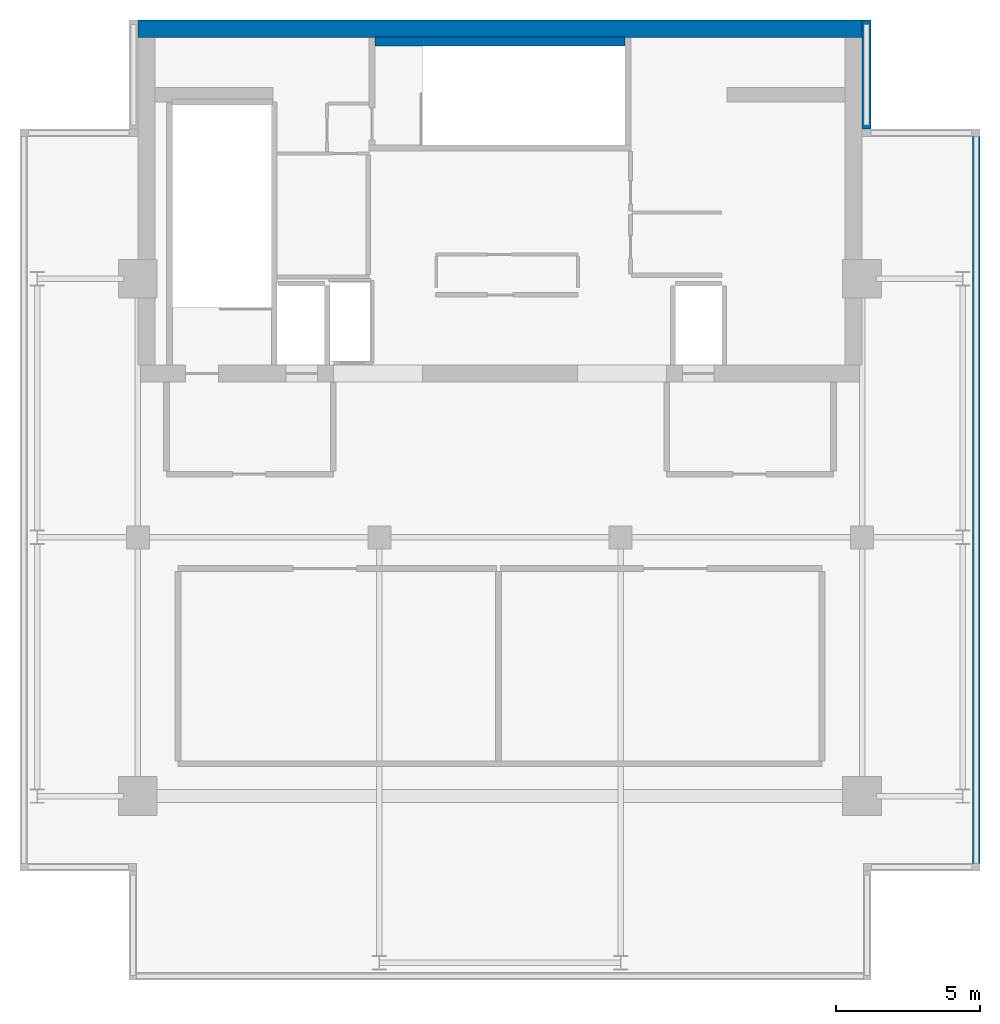
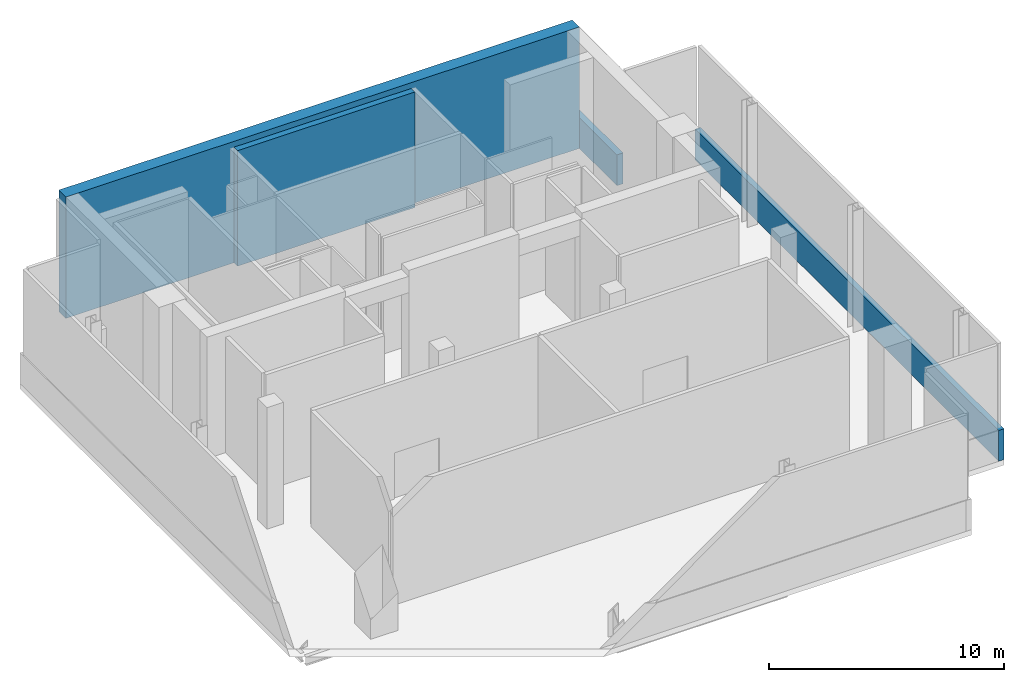
# One storey, part 3 of 4: 4 walls.
"""IFC4 building model written with IfcOpenShell, lengths in metres."""

import ifcopenshell
import ifcopenshell.guid

model = None  # the IFC model being written
_history = None  # IfcOwnerHistory: only IFC2X3 demands one
_inside = {}  # id of a spatial element -> (the spatial element, [elements in it])
_under = {}  # id of a project, library or spatial element -> (it, [spatial elements below it])
_declared = {}  # id of a project -> (the project, [libraries it declares])
_typed = {}  # id of a type object -> (the type object, [elements of that type])
_made_of = {}  # id of a material, layer set ... -> (it, [elements and type objects made of it])


def new_model(schema):
    """Start an empty IFC model of exactly this schema.

    Asked for "IFC4X3", IfcOpenShell would pick the latest addendum, in which some entities
    have other attributes; the version numbers below select the first issue.
    IFC2X3 requires an IfcOwnerHistory on every rooted entity: one is made here for all.
    """
    global model, _history
    if schema == "IFC4X3":
        model = ifcopenshell.file(schema_version=(4, 3, 0, 0))
    else:
        model = ifcopenshell.file(schema=schema)
    _inside.clear()
    _under.clear()
    _declared.clear()
    _typed.clear()
    _made_of.clear()
    _history = None
    if model.schema == "IFC2X3":
        org = make("IfcOrganization", Name="unknown")
        user = make(
            "IfcPersonAndOrganization",
            ThePerson=make("IfcPerson", FamilyName="unknown"),
            TheOrganization=org,
        )
        app = make(
            "IfcApplication",
            ApplicationDeveloper=org,
            Version="unknown",
            ApplicationFullName="unknown",
            ApplicationIdentifier="unknown",
        )
        _history = make(
            "IfcOwnerHistory",
            OwningUser=user,
            OwningApplication=app,
            ChangeAction="ADDED",
            CreationDate=0,
        )
    return model


def make(cls, **values):
    """One entity of the class cls with the attributes given. An attribute that is None is left unset."""
    return model.create_entity(
        cls, **{name: value for name, value in values.items() if value is not None}
    )


def rooted(cls, **values):
    """An entity with a GlobalId (a new one), such as an element, a storey or a relation."""
    return make(cls, GlobalId=ifcopenshell.guid.new(), OwnerHistory=_history, **values)


def si_unit(unit_type, name, prefix=None):
    """IfcSIUnit, for example si_unit("LENGTHUNIT", "METRE", prefix="MILLI")."""
    return make("IfcSIUnit", UnitType=unit_type, Prefix=prefix, Name=name)


def assignment(units):
    """IfcUnitAssignment: the units of a project."""
    return None if units is None else make("IfcUnitAssignment", Units=units)


def point(xyz):
    """IfcCartesianPoint."""
    return None if xyz is None else make("IfcCartesianPoint", Coordinates=xyz)


def direction(xyz):
    """IfcDirection."""
    return None if xyz is None else make("IfcDirection", DirectionRatios=xyz)


def frame(location, z_axis=None, x_axis=None):
    """IfcAxis2Placement3D, a coordinate frame: its origin and axes. An axis left out is left unset."""
    return make(
        "IfcAxis2Placement3D",
        Location=point(location),
        Axis=direction(z_axis),
        RefDirection=direction(x_axis),
    )


def frame_2d(location, x_axis=None):
    """IfcAxis2Placement2D, a coordinate frame in the plane: its origin and x axis."""
    return make(
        "IfcAxis2Placement2D", Location=point(location), RefDirection=direction(x_axis)
    )


def origin():
    """The frame at (0, 0, 0) with its axes left unset."""
    return frame((0.0, 0.0, 0.0))


def place(relative_to, where):
    """IfcLocalPlacement: puts the frame where relative to a parent placement (None: the world)."""
    return make(
        "IfcLocalPlacement", PlacementRelTo=relative_to, RelativePlacement=where
    )


def context(
    kind, dimensions, precision=None, world=None, true_north=None, identifier=None
):
    """IfcGeometricRepresentationContext, for example the 3D "Model" context."""
    return make(
        "IfcGeometricRepresentationContext",
        ContextIdentifier=identifier,
        ContextType=kind,
        CoordinateSpaceDimension=dimensions,
        Precision=precision,
        WorldCoordinateSystem=world,
        TrueNorth=true_north,
    )


def subcontext(parent, identifier, kind, view, scale=None):
    """IfcGeometricRepresentationSubContext, for example "Body" below "Model"."""
    return make(
        "IfcGeometricRepresentationSubContext",
        ContextIdentifier=identifier,
        ContextType=kind,
        ParentContext=parent,
        TargetScale=scale,
        TargetView=view,
    )


def project(units=None, contexts=None):
    """IfcProject with its units and contexts."""
    return rooted(
        "IfcProject",
        Name="project",
        RepresentationContexts=contexts,
        UnitsInContext=assignment(units),
    )


def spatial(cls, under=None, at=None, **own):
    """A site, building, storey or space (cls), placed at a placement, below another one or the project."""
    s = rooted(cls, ObjectPlacement=at, **own)
    if under is not None:
        _under.setdefault(under.id(), (under, []))[1].append(s)
    return s


def profile(cls, at=None, kind="AREA", **sizes):
    """A parametric profile (cls). Its sizes go by their IFC names, for example OverallWidth=200.0."""
    return make(cls, ProfileType=kind, Position=at, **sizes)


def rectangle(**sizes):
    """IfcRectangleProfileDef."""
    return profile("IfcRectangleProfileDef", **sizes)


def extrude(swept, where, along, depth):
    """IfcExtrudedAreaSolid: the profile swept, set in the frame where, extruded along a direction by depth."""
    return make(
        "IfcExtrudedAreaSolid",
        SweptArea=swept,
        Position=where,
        ExtrudedDirection=direction(along),
        Depth=depth,
    )


def shape(context_of_items, identifier, shape_type, items):
    """IfcShapeRepresentation: the items that make up one representation, for example the "Body"."""
    return make(
        "IfcShapeRepresentation",
        ContextOfItems=context_of_items,
        RepresentationIdentifier=identifier,
        RepresentationType=shape_type,
        Items=items,
    )


def material(Name=None, Category=None):
    """IfcMaterial."""
    return make("IfcMaterial", Name=Name, Category=Category)


def layer(
    of_material, thickness, ventilated=None, Name=None, Category=None, Priority=None
):
    """IfcMaterialLayer: one layer of a wall or slab, of a material (None: an air gap)."""
    return make(
        "IfcMaterialLayer",
        Material=of_material,
        LayerThickness=thickness,
        IsVentilated=ventilated,
        Name=Name,
        Category=Category,
        Priority=Priority,
    )


def layer_set(layers, Name=None):
    """IfcMaterialLayerSet."""
    return make("IfcMaterialLayerSet", MaterialLayers=layers, LayerSetName=Name)


def made_of(thing, what):
    """Note that an element or type object is made of a material, layer set ...; save() writes the relation."""
    if what is not None:
        _made_of.setdefault(what.id(), (what, []))[1].append(thing)
    return thing


def type_object(cls, material=None, **own):
    """A type object (cls), such as IfcWallType, which elements share."""
    return made_of(rooted(cls, **own), material)


def element(
    cls,
    number,
    at=None,
    inside=None,
    cuts=None,
    type_object=None,
    material=None,
    context=None,
    identifier="Body",
    shape_type=None,
    held_by="IfcProductDefinitionShape",
    body=None,
    shapes=None,
    **own,
):
    """One element of the class cls, such as IfcWall. Its Tag is "e" and its number.

    at: its placement. inside: the storey or other place that contains it. cuts: it is an
    opening in that element (IfcRelVoidsElement). A single representation is given by context,
    identifier, shape_type and body (its items); several are given by shapes. held_by: the class
    of the entity that holds the representations. save() writes the other relations.
    """
    e = rooted(cls, Tag="e%d" % number, ObjectPlacement=at, **own)
    if body is not None:
        shapes = [shape(context, identifier, shape_type, body)]
    if shapes is not None:
        e.Representation = make(held_by, Representations=shapes)
    if inside is not None:
        _inside.setdefault(inside.id(), (inside, []))[1].append(e)
    if cuts is not None:
        rooted(
            "IfcRelVoidsElement", RelatingBuildingElement=cuts, RelatedOpeningElement=e
        )
    if type_object is not None:
        _typed.setdefault(type_object.id(), (type_object, []))[1].append(e)
    return made_of(e, material)


def aggregate(whole, parts):
    """IfcRelAggregates: a whole, such as a stair, and the parts it consists of."""
    return rooted("IfcRelAggregates", RelatingObject=whole, RelatedObjects=parts)


def save(model, path):
    """Write the relations noted so far, then the file.

    IfcRelAggregates (storeys below a building ...), IfcRelContainedInSpatialStructure (elements
    in a storey), IfcRelDefinesByType, IfcRelAssociatesMaterial and IfcRelDeclares: one each for
    every whole, place, type object, material and project.
    """
    for whole, parts in _under.values():
        aggregate(whole, parts)
    for where, things in _inside.values():
        rooted(
            "IfcRelContainedInSpatialStructure",
            RelatedElements=things,
            RelatingStructure=where,
        )
    for kind, things in _typed.values():
        rooted("IfcRelDefinesByType", RelatedObjects=things, RelatingType=kind)
    for what, things in _made_of.values():
        rooted("IfcRelAssociatesMaterial", RelatedObjects=things, RelatingMaterial=what)
    for by, libraries in _declared.values():
        rooted("IfcRelDeclares", RelatingContext=by, RelatedDefinitions=libraries)
    model.write(path)


model = new_model("IFC4")

# Units and contexts
model_context = context("Model", 3, precision=1e-05, world=origin(), true_north=direction((0.0, 1.0)))
body_context = subcontext(model_context, "Body", "Model", "MODEL_VIEW")
ifc_project = project(units=[si_unit("LENGTHUNIT", "METRE"), si_unit("AREAUNIT", "SQUARE_METRE"), si_unit("VOLUMEUNIT", "CUBIC_METRE"), si_unit("PLANEANGLEUNIT", "RADIAN"), si_unit("MASSUNIT", "GRAM", prefix="KILO")], contexts=[model_context])

# Site, building, storey
site_placement = place(None, origin())
site = spatial("IfcSite", under=ifc_project, at=site_placement, CompositionType="ELEMENT")
building_placement = place(site_placement, origin())
building = spatial("IfcBuilding", under=site, at=building_placement, Name="Maruvema Waterfront Hotel and Observation Tower", CompositionType="ELEMENT")
storey_placement = place(building_placement, frame((0.0, 0.0, 369.949951171875)))
storey = spatial("IfcBuildingStorey", under=building, at=storey_placement, Name="L90", CompositionType="ELEMENT", Elevation=369.949951171875)

# Walls
ifc_material_1 = material(Name="Precast concrete C45/55", Category="concrete")
ifc_layer_1 = layer(ifc_material_1, 0.300048828125, Name="Core Shaft Furring Wall 300 mm")
ifc_layer_set_1 = layer_set([ifc_layer_1], Name="Precast concrete C45/55")
wall_type_1 = type_object("IfcWallType", Name="Core Shaft Furring Wall 300 mm", PredefinedType="SOLIDWALL", material=ifc_layer_set_1)
wall_1_placement = place(storey_placement, frame((33.449951171875, 53.25, 0.0), z_axis=(0.0, 0.0, 1.0), x_axis=(1.0, 0.0, 0.0)))
element("IfcWall", 1, at=wall_1_placement, inside=storey, type_object=wall_type_1, Name="L90 Stairwell ST-02 North Furring Wall", PredefinedType="SOLIDWALL", context=body_context, shape_type="SweptSolid", body=[
    extrude(rectangle(XDim=8.699951171875, YDim=0.300048828125, at=frame_2d((4.35009765625, 0.0))), origin(), (0.0, 0.0, 1.0), 6.0),
])
ifc_material_2 = material(Name="Concrete C60/75", Category="concrete")
ifc_layer_2 = layer(ifc_material_2, 0.60009765625, Name="Core Shear Wall 600 mm")
ifc_layer_set_2 = layer_set([ifc_layer_2], Name="Concrete C60/75")
wall_type_2 = type_object("IfcWallType", Name="Core Shear Wall 600 mm", PredefinedType="SHEAR", material=ifc_layer_set_2)
wall_2_placement = place(storey_placement, frame((25.199951171875, 53.699951171875, 0.0), z_axis=(0.0, 0.0, 1.0), x_axis=(1.0, 0.0, 0.0)))
element("IfcWall", 2, at=wall_2_placement, inside=storey, type_object=wall_type_2, Name="L90 North Core Shear Wall", PredefinedType="SHEAR", context=body_context, shape_type="SweptSolid", body=[
    extrude(rectangle(XDim=25.199951171875, YDim=0.60009765625, at=frame_2d((12.60009765625, 0.0))), origin(), (0.0, 0.0, 1.0), 6.300048828125),
])
ifc_material_3 = material(Name="Precast concrete C45/55 with honed Pernambuco granite facing", Category="masonry")
ifc_layer_3 = layer(ifc_material_3, 0.260009765625, Name="Exterior Granite Clad Spandrel and Pier Wall 260 mm")
ifc_layer_set_3 = layer_set([ifc_layer_3], Name="Precast concrete C45/55 with honed Pernambuco granite facing")
wall_type_3 = type_object("IfcWallType", Name="Exterior Granite Clad Spandrel and Pier Wall 260 mm", PredefinedType="SOLIDWALL", material=ifc_layer_set_3)
wall_3_placement = place(storey_placement, frame((54.3701171875, 24.39990234375, 0.0), z_axis=(0.0, 0.0, 1.0), x_axis=(0.0, 1.0, 0.0)))
element("IfcWall", 3, at=wall_3_placement, inside=storey, type_object=wall_type_3, Name="L90 Mechanical Perimeter Spandrel Wall 04", PredefinedType="SOLIDWALL", context=body_context, shape_type="SweptSolid", body=[
    extrude(rectangle(XDim=25.800048828125, YDim=0.260009765625, at=frame_2d((12.89990234375, 0.0))), origin(), (0.0, 0.0, 1.0), 1.60009765625),
])
ifc_material_4 = material(Name="Precast concrete C45/55 with honed Pernambuco granite facing", Category="masonry")
ifc_layer_4 = layer(ifc_material_4, 0.300048828125, Name="Podium Waterfront Granite Colonnade Wall 300 mm")
ifc_layer_set_4 = layer_set([ifc_layer_4], Name="Precast concrete C45/55 with honed Pernambuco granite facing")
wall_type_4 = type_object("IfcWallType", Name="Podium Waterfront Granite Colonnade Wall 300 mm", PredefinedType="SOLIDWALL", material=ifc_layer_set_4)
wall_4_placement = place(storey_placement, frame((50.550048828125, 50.199951171875, 0.0), z_axis=(0.0, 0.0, 1.0), x_axis=(0.0, 1.0, 0.0)))
element("IfcWall", 4, at=wall_4_placement, inside=storey, type_object=wall_type_4, Name="L90 Mechanical Perimeter Spandrel Wall 06", PredefinedType="SOLIDWALL", context=body_context, shape_type="SweptSolid", body=[
    extrude(rectangle(XDim=3.800048828125, YDim=0.300048828125, at=frame_2d((1.89990234375, 0.0))), origin(), (0.0, 0.0, 1.0), 1.60009765625),
])

save(model, "model.ifc")
